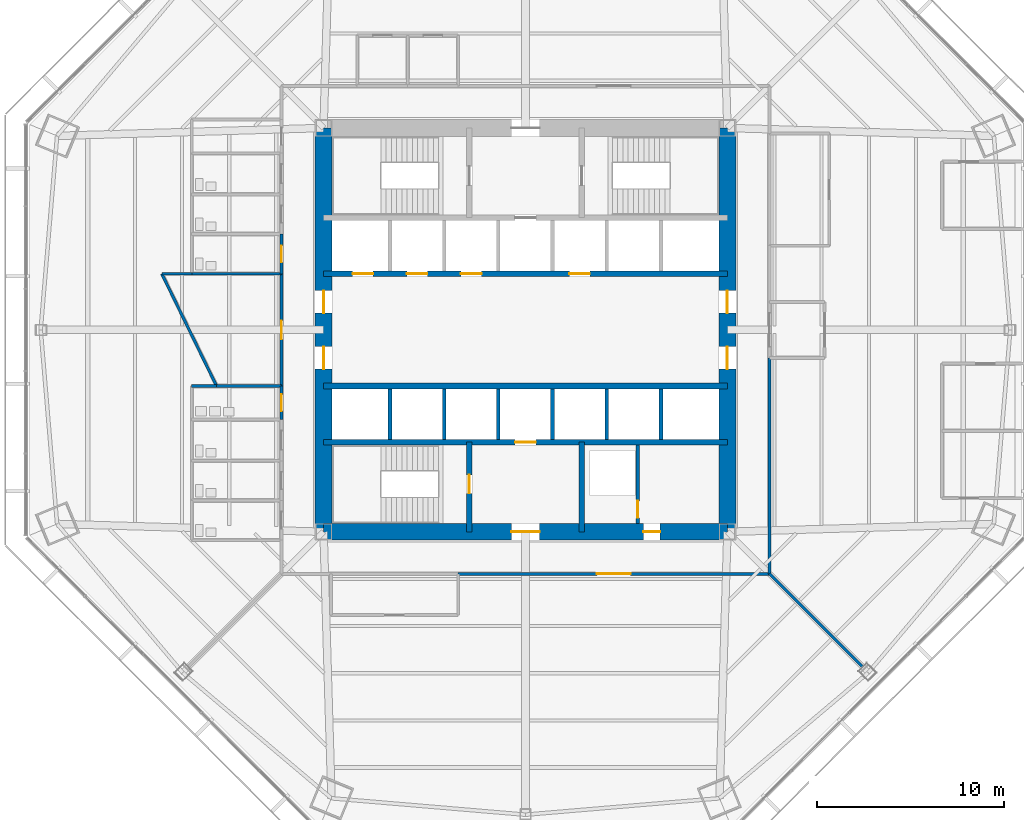
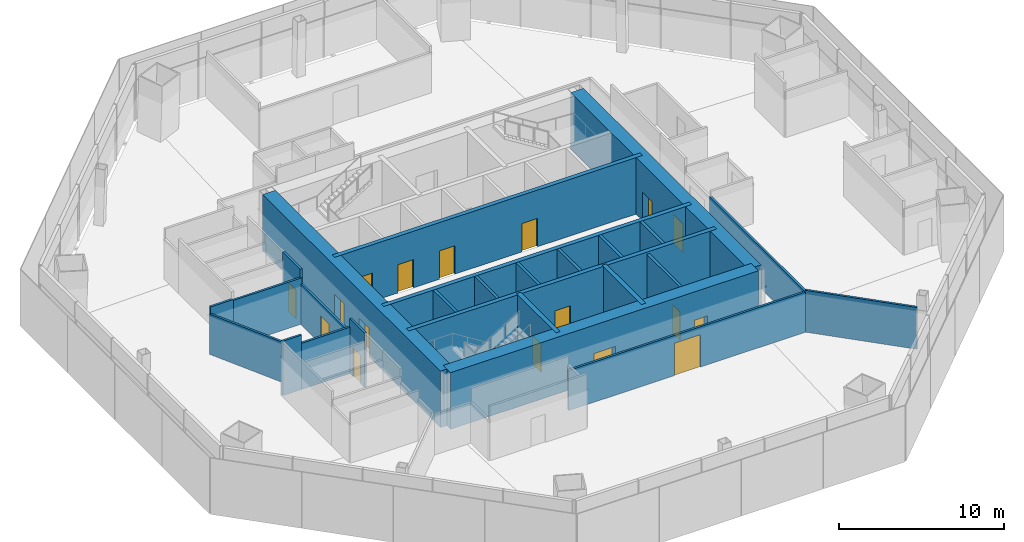
# One storey, part 8 of 13: 26 walls, 17 doors, 17 openings.
"""IFC4 building model written with IfcOpenShell, lengths in metres."""

from ifc_helpers import new_model, si_unit, direction, frame, frame_2d, origin, place, context, subcontext, project, spatial, rectangle, extrude, material, layer, layer_set, type_object, element, fill, save


model = new_model("IFC4")

# Units and contexts
model_context = context("Model", 3, precision=1e-05, world=origin(), true_north=direction((0.0, 1.0)))
body_context = subcontext(model_context, "Body", "Model", "MODEL_VIEW")
ifc_project = project(units=[si_unit("LENGTHUNIT", "METRE"), si_unit("AREAUNIT", "SQUARE_METRE"), si_unit("VOLUMEUNIT", "CUBIC_METRE"), si_unit("PLANEANGLEUNIT", "RADIAN"), si_unit("MASSUNIT", "GRAM", prefix="KILO")], contexts=[model_context])

# Site, building, storey
site_placement = place(None, origin())
site = spatial("IfcSite", under=ifc_project, at=site_placement, CompositionType="ELEMENT")
building_placement = place(site_placement, origin())
building = spatial("IfcBuilding", under=site, at=building_placement, Name="Mashrafa Tower", CompositionType="ELEMENT")
storey_placement = place(building_placement, frame((0.0, 0.0, 45.60009765625)))
storey = spatial("IfcBuildingStorey", under=building, at=storey_placement, Name="L09", CompositionType="ELEMENT", Elevation=45.60009765625)

# Wall, opening, door
ifc_material_1 = material(Name="Concrete masonry unit", Category="masonry")
ifc_layer_1 = layer(ifc_material_1, 0.199951171875)
ifc_layer_set_1 = layer_set([ifc_layer_1], Name="Blockwork wall 200 2 hr")
wall_type_1 = type_object("IfcWallType", Name="Blockwork wall 200 2 hr", PredefinedType="PARTITIONING", material=ifc_layer_set_1)
wall_1_placement = place(storey_placement, frame((6.0, -10.35009765625, 0.0), z_axis=(0.0, 0.0, 1.0), x_axis=(0.0, 1.0, 0.0)))
wall_1 = element("IfcWall", 1, at=wall_1_placement, inside=storey, type_object=wall_type_1, Name="Riser enclosure wall L09", PredefinedType="PARTITIONING", context=body_context, shape_type="SweptSolid", body=[
    extrude(rectangle(XDim=4.2001953125, YDim=0.199951171875, at=frame_2d((2.10009765625, 0.0))), origin(), (0.0, 0.0, 1.0), 4.034912109375),
])
opening_1_placement = place(wall_1_placement, frame((0.300048828125, 0.0, 0.0)))
opening_1 = element("IfcOpeningElement", 2, at=opening_1_placement, cuts=wall_1, Name="Opening 09.032", PredefinedType="OPENING", context=body_context, shape_type="SweptSolid", body=[
    extrude(rectangle(XDim=0.89990234375, YDim=2.10009765625, at=frame_2d((0.449951171875, 1.050048828125))), frame((0.0, 0.10986328125, 0.0), z_axis=(0.0, -1.0, 0.0), x_axis=(1.0, 0.0, 0.0)), (0.0, 0.0, 1.0), 0.219970703125),
])
ifc_material_2 = material(Name="Steel door", Category="steel")
door_type_1 = type_object("IfcDoorType", Name="Service door 900 x 2100 90 min", OperationType="USERDEFINED", PredefinedType="DOOR", material=ifc_material_2)
door_1_placement = place(opening_1_placement, origin())
door_1 = element("IfcDoor", 3, at=door_1_placement, inside=storey, type_object=door_type_1, Name="Riser door L09", OperationType="SINGLE_SWING_LEFT", OverallHeight=2.10009765625, OverallWidth=0.89990234375, PredefinedType="DOOR", context=body_context, shape_type="SweptSolid", body=[
    extrude(rectangle(XDim=0.89990234375, YDim=2.10009765625, at=frame_2d((0.449951171875, 1.050048828125))), frame((0.0, 0.02490234375, 0.0), z_axis=(0.0, -1.0, 0.0), x_axis=(1.0, 0.0, 0.0)), (0.0, 0.0, 1.0), 0.050048828125),
])
fill(opening_1, door_1)

# Wall, openings, doors
ifc_material_3 = material(Name="Concrete C60/75", Category="concrete")
ifc_layer_2 = layer(ifc_material_3, 0.300048828125)
ifc_layer_set_2 = layer_set([ifc_layer_2], Name="Core wall 300 C60/75")
wall_type_2 = type_object("IfcWallType", Name="Core wall 300 C60/75", PredefinedType="SOLIDWALL", material=ifc_layer_set_2)
wall_2_placement = place(storey_placement, frame((-10.800048828125, 3.0, 0.0), z_axis=(0.0, 0.0, 1.0), x_axis=(1.0, 0.0, 0.0)))
wall_2 = element("IfcWall", 4, at=wall_2_placement, inside=storey, type_object=wall_type_2, Name="Core wall CH-N L09", PredefinedType="SOLIDWALL", context=body_context, shape_type="SweptSolid", body=[
    extrude(rectangle(XDim=21.60009765625, YDim=0.300048828125, at=frame_2d((10.800048828125, 0.0))), origin(), (0.0, 0.0, 1.0), 4.199951171875),
])
opening_2_placement = place(wall_2_placement, frame((1.550048828125, 0.0, 0.0)))
opening_2 = element("IfcOpeningElement", 5, at=opening_2_placement, cuts=wall_2, Name="Opening 09.A1", PredefinedType="OPENING", context=body_context, shape_type="SweptSolid", body=[
    extrude(rectangle(XDim=1.10009765625, YDim=2.10009765625, at=frame_2d((0.550048828125, 1.050048828125))), frame((0.0, 0.159912109375, 0.0), z_axis=(0.0, -1.0, 0.0), x_axis=(1.0, 0.0, 0.0)), (0.0, 0.0, 1.0), 0.320068359375),
])
opening_3_placement = place(wall_2_placement, frame((4.449951171875, 0.0, 0.0)))
opening_3 = element("IfcOpeningElement", 6, at=opening_3_placement, cuts=wall_2, Name="Opening 09.A2", PredefinedType="OPENING", context=body_context, shape_type="SweptSolid", body=[
    extrude(rectangle(XDim=1.10009765625, YDim=2.10009765625, at=frame_2d((0.550048828125, 1.050048828125))), frame((0.0, 0.159912109375, 0.0), z_axis=(0.0, -1.0, 0.0), x_axis=(1.0, 0.0, 0.0)), (0.0, 0.0, 1.0), 0.320068359375),
])
opening_4_placement = place(wall_2_placement, frame((7.35009765625, 0.0, 0.0)))
opening_4 = element("IfcOpeningElement", 7, at=opening_4_placement, cuts=wall_2, Name="Opening 09.A3", PredefinedType="OPENING", context=body_context, shape_type="SweptSolid", body=[
    extrude(rectangle(XDim=1.10009765625, YDim=2.10009765625, at=frame_2d((0.550048828125, 1.050048828125))), frame((0.0, 0.159912109375, 0.0), z_axis=(0.0, -1.0, 0.0), x_axis=(1.0, 0.0, 0.0)), (0.0, 0.0, 1.0), 0.320068359375),
])
opening_5_placement = place(wall_2_placement, frame((13.14990234375, 0.0, 0.0)))
opening_5 = element("IfcOpeningElement", 8, at=opening_5_placement, cuts=wall_2, Name="Opening 09.A4", PredefinedType="OPENING", context=body_context, shape_type="SweptSolid", body=[
    extrude(rectangle(XDim=1.10009765625, YDim=2.10009765625, at=frame_2d((0.550048828125, 1.050048828125))), frame((0.0, 0.159912109375, 0.0), z_axis=(0.0, -1.0, 0.0), x_axis=(1.0, 0.0, 0.0)), (0.0, 0.0, 1.0), 0.320068359375),
])
ifc_material_4 = material(Name="Steel door", Category="steel")
door_type_2 = type_object("IfcDoorType", Name="Lift landing door 1100 x 2100 90 min", OperationType="DOUBLE_DOOR_SLIDING", PredefinedType="DOOR", material=ifc_material_4)
door_2_placement = place(opening_2_placement, origin())
door_2 = element("IfcDoor", 9, at=door_2_placement, inside=storey, type_object=door_type_2, Name="Lift landing door A1 L09", OperationType="DOUBLE_DOOR_SLIDING", OverallHeight=2.10009765625, OverallWidth=1.10009765625, PredefinedType="DOOR", context=body_context, shape_type="SweptSolid", body=[
    extrude(rectangle(XDim=1.10009765625, YDim=2.10009765625, at=frame_2d((0.550048828125, 1.050048828125))), frame((0.0, 0.02490234375, 0.0), z_axis=(0.0, -1.0, 0.0), x_axis=(1.0, 0.0, 0.0)), (0.0, 0.0, 1.0), 0.050048828125),
])
fill(opening_2, door_2)
door_3_placement = place(opening_3_placement, origin())
door_3 = element("IfcDoor", 10, at=door_3_placement, inside=storey, type_object=door_type_2, Name="Lift landing door A2 L09", OperationType="DOUBLE_DOOR_SLIDING", OverallHeight=2.10009765625, OverallWidth=1.10009765625, PredefinedType="DOOR", context=body_context, shape_type="SweptSolid", body=[
    extrude(rectangle(XDim=1.10009765625, YDim=2.10009765625, at=frame_2d((0.550048828125, 1.050048828125))), frame((0.0, 0.02490234375, 0.0), z_axis=(0.0, -1.0, 0.0), x_axis=(1.0, 0.0, 0.0)), (0.0, 0.0, 1.0), 0.050048828125),
])
fill(opening_3, door_3)
door_4_placement = place(opening_4_placement, origin())
door_4 = element("IfcDoor", 11, at=door_4_placement, inside=storey, type_object=door_type_2, Name="Lift landing door A3 L09", OperationType="DOUBLE_DOOR_SLIDING", OverallHeight=2.10009765625, OverallWidth=1.10009765625, PredefinedType="DOOR", context=body_context, shape_type="SweptSolid", body=[
    extrude(rectangle(XDim=1.10009765625, YDim=2.10009765625, at=frame_2d((0.550048828125, 1.050048828125))), frame((0.0, 0.02490234375, 0.0), z_axis=(0.0, -1.0, 0.0), x_axis=(1.0, 0.0, 0.0)), (0.0, 0.0, 1.0), 0.050048828125),
])
fill(opening_4, door_4)
door_5_placement = place(opening_5_placement, origin())
door_5 = element("IfcDoor", 12, at=door_5_placement, inside=storey, type_object=door_type_2, Name="Lift landing door A4 L09", OperationType="DOUBLE_DOOR_SLIDING", OverallHeight=2.10009765625, OverallWidth=1.10009765625, PredefinedType="DOOR", context=body_context, shape_type="SweptSolid", body=[
    extrude(rectangle(XDim=1.10009765625, YDim=2.10009765625, at=frame_2d((0.550048828125, 1.050048828125))), frame((0.0, 0.02490234375, 0.0), z_axis=(0.0, -1.0, 0.0), x_axis=(1.0, 0.0, 0.0)), (0.0, 0.0, 1.0), 0.050048828125),
])
fill(opening_5, door_5)

# Wall
wall_3_placement = place(storey_placement, frame((-10.800048828125, -3.0, 0.0), z_axis=(0.0, 0.0, 1.0), x_axis=(1.0, 0.0, 0.0)))
element("IfcWall", 13, at=wall_3_placement, inside=storey, type_object=wall_type_2, Name="Core wall CH-S L09", PredefinedType="SOLIDWALL", context=body_context, shape_type="SweptSolid", body=[
    extrude(rectangle(XDim=21.60009765625, YDim=0.300048828125, at=frame_2d((10.800048828125, 0.0))), origin(), (0.0, 0.0, 1.0), 4.199951171875),
])

# Wall, opening, door
wall_4_placement = place(storey_placement, frame((-10.800048828125, -6.0, 0.0), z_axis=(0.0, 0.0, 1.0), x_axis=(1.0, 0.0, 0.0)))
wall_4 = element("IfcWall", 14, at=wall_4_placement, inside=storey, type_object=wall_type_2, Name="Core wall CB-S L09", PredefinedType="SOLIDWALL", context=body_context, shape_type="SweptSolid", body=[
    extrude(rectangle(XDim=21.60009765625, YDim=0.300048828125, at=frame_2d((10.800048828125, 0.0))), origin(), (0.0, 0.0, 1.0), 4.199951171875),
])
opening_6_placement = place(wall_4_placement, frame((10.25, 0.0, 0.0)))
opening_6 = element("IfcOpeningElement", 15, at=opening_6_placement, cuts=wall_4, Name="Opening 09.F2", PredefinedType="OPENING", context=body_context, shape_type="SweptSolid", body=[
    extrude(rectangle(XDim=1.10009765625, YDim=2.10009765625, at=frame_2d((0.550048828125, 1.050048828125))), frame((0.0, 0.159912109375, 0.0), z_axis=(0.0, -1.0, 0.0), x_axis=(1.0, 0.0, 0.0)), (0.0, 0.0, 1.0), 0.320068359375),
])
door_6_placement = place(opening_6_placement, origin())
door_6 = element("IfcDoor", 16, at=door_6_placement, inside=storey, type_object=door_type_2, Name="Lift landing door F2 L09", OperationType="DOUBLE_DOOR_SLIDING", OverallHeight=2.10009765625, OverallWidth=1.10009765625, PredefinedType="DOOR", context=body_context, shape_type="SweptSolid", body=[
    extrude(rectangle(XDim=1.10009765625, YDim=2.10009765625, at=frame_2d((0.550048828125, 1.050048828125))), frame((0.0, 0.02490234375, 0.0), z_axis=(0.0, -1.0, 0.0), x_axis=(1.0, 0.0, 0.0)), (0.0, 0.0, 1.0), 0.050048828125),
])
fill(opening_6, door_6)

wall_5_placement = place(storey_placement, frame((-3.0, -6.0, 0.0), z_axis=(0.0, 0.0, 1.0), x_axis=(0.0, -1.0, 0.0)))
wall_5 = element("IfcWall", 17, at=wall_5_placement, inside=storey, type_object=wall_type_2, Name="Core wall CX-SW L09", PredefinedType="SOLIDWALL", context=body_context, shape_type="SweptSolid", body=[
    extrude(rectangle(XDim=4.800048828125, YDim=0.300048828125, at=frame_2d((2.39990234375, 0.0))), origin(), (0.0, 0.0, 1.0), 4.199951171875),
])
opening_7_placement = place(wall_5_placement, frame((1.75, 0.0, 0.0)))
opening_7 = element("IfcOpeningElement", 18, at=opening_7_placement, cuts=wall_5, Name="Opening 09.030", PredefinedType="OPENING", context=body_context, shape_type="SweptSolid", body=[
    extrude(rectangle(XDim=1.0, YDim=2.10009765625, at=frame_2d((0.5, 1.050048828125))), frame((0.0, 0.159912109375, 0.0), z_axis=(0.0, -1.0, 0.0), x_axis=(1.0, 0.0, 0.0)), (0.0, 0.0, 1.0), 0.320068359375),
])
ifc_material_5 = material(Name="Steel door", Category="steel")
door_type_3 = type_object("IfcDoorType", Name="Stair door 1000 x 2100 90 min", OperationType="USERDEFINED", PredefinedType="DOOR", material=ifc_material_5)
door_7_placement = place(opening_7_placement, frame((1.0, 0.0, 0.0), z_axis=(0.0, 0.0, 1.0), x_axis=(-1.0, 0.0, 0.0)))
door_7 = element("IfcDoor", 19, at=door_7_placement, inside=storey, type_object=door_type_3, Name="Stair S3 door L09", OperationType="SINGLE_SWING_RIGHT", OverallHeight=2.10009765625, OverallWidth=1.0, PredefinedType="DOOR", context=body_context, shape_type="SweptSolid", body=[
    extrude(rectangle(XDim=1.0, YDim=2.10009765625, at=frame_2d((0.5, 1.050048828125))), frame((0.0, 0.02490234375, 0.0), z_axis=(0.0, -1.0, 0.0), x_axis=(1.0, 0.0, 0.0)), (0.0, 0.0, 1.0), 0.050048828125),
])
fill(opening_7, door_7)

# Wall
wall_6_placement = place(storey_placement, frame((3.0, -6.0, 0.0), z_axis=(0.0, 0.0, 1.0), x_axis=(0.0, -1.0, 0.0)))
element("IfcWall", 20, at=wall_6_placement, inside=storey, type_object=wall_type_2, Name="Core wall CX-SE L09", PredefinedType="SOLIDWALL", context=body_context, shape_type="SweptSolid", body=[
    extrude(rectangle(XDim=4.800048828125, YDim=0.300048828125, at=frame_2d((2.39990234375, 0.0))), origin(), (0.0, 0.0, 1.0), 4.199951171875),
])

# Wall, openings, doors
ifc_material_6 = material(Name="Concrete C60/75", Category="concrete")
ifc_layer_3 = layer(ifc_material_6, 0.89990234375)
ifc_layer_set_3 = layer_set([ifc_layer_3], Name="Core wall 900 C60/75")
wall_type_3 = type_object("IfcWallType", Name="Core wall 900 C60/75", PredefinedType="SOLIDWALL", material=ifc_layer_set_3)
wall_7_placement = place(storey_placement, frame((-10.800048828125, -10.800048828125, 0.0), z_axis=(0.0, 0.0, 1.0), x_axis=(1.0, 0.0, 0.0)))
wall_7 = element("IfcWall", 21, at=wall_7_placement, inside=storey, type_object=wall_type_3, Name="Core wall CW-S L09", PredefinedType="SOLIDWALL", context=body_context, shape_type="SweptSolid", body=[
    extrude(rectangle(XDim=21.60009765625, YDim=0.89990234375, at=frame_2d((10.800048828125, 0.0))), origin(), (0.0, 0.0, 1.0), 4.199951171875),
])
opening_8_placement = place(wall_7_placement, frame((10.050048828125, 0.0, 0.0)))
opening_8 = element("IfcOpeningElement", 22, at=opening_8_placement, cuts=wall_7, Name="Opening 09.027", PredefinedType="OPENING", context=body_context, shape_type="SweptSolid", body=[
    extrude(rectangle(XDim=1.5, YDim=2.10009765625, at=frame_2d((0.75, 1.050048828125))), frame((0.0, 0.4599609375, 0.0), z_axis=(0.0, -1.0, 0.0), x_axis=(1.0, 0.0, 0.0)), (0.0, 0.0, 1.0), 0.919921875),
])
opening_9_placement = place(wall_7_placement, frame((17.10009765625, 0.0, 0.0)))
opening_9 = element("IfcOpeningElement", 23, at=opening_9_placement, cuts=wall_7, Name="Opening 09.031", PredefinedType="OPENING", context=body_context, shape_type="SweptSolid", body=[
    extrude(rectangle(XDim=0.89990234375, YDim=2.10009765625, at=frame_2d((0.449951171875, 1.050048828125))), frame((0.0, 0.4599609375, 0.0), z_axis=(0.0, -1.0, 0.0), x_axis=(1.0, 0.0, 0.0)), (0.0, 0.0, 1.0), 0.919921875),
])
ifc_material_7 = material(Name="Steel door", Category="steel")
door_type_4 = type_object("IfcDoorType", Name="Lobby door pair 1500 x 2100 90 min", OperationType="DOUBLE_DOOR_SINGLE_SWING", PredefinedType="DOOR", material=ifc_material_7)
door_8_placement = place(opening_8_placement, origin())
door_8 = element("IfcDoor", 24, at=door_8_placement, inside=storey, type_object=door_type_4, Name="Fire-fighting lobby F2 door L09", OperationType="DOUBLE_DOOR_SINGLE_SWING", OverallHeight=2.10009765625, OverallWidth=1.5, PredefinedType="DOOR", context=body_context, shape_type="SweptSolid", body=[
    extrude(rectangle(XDim=1.5, YDim=2.10009765625, at=frame_2d((0.75, 1.050048828125))), frame((0.0, 0.02490234375, 0.0), z_axis=(0.0, -1.0, 0.0), x_axis=(1.0, 0.0, 0.0)), (0.0, 0.0, 1.0), 0.050048828125),
])
fill(opening_8, door_8)
door_9_placement = place(opening_9_placement, origin())
door_9 = element("IfcDoor", 25, at=door_9_placement, inside=storey, type_object=door_type_1, Name="Tenant Store L09 door", OperationType="SINGLE_SWING_LEFT", OverallHeight=2.10009765625, OverallWidth=0.89990234375, PredefinedType="DOOR", context=body_context, shape_type="SweptSolid", body=[
    extrude(rectangle(XDim=0.89990234375, YDim=2.10009765625, at=frame_2d((0.449951171875, 1.050048828125))), frame((0.0, 0.02490234375, 0.0), z_axis=(0.0, -1.0, 0.0), x_axis=(1.0, 0.0, 0.0)), (0.0, 0.0, 1.0), 0.050048828125),
])
fill(opening_9, door_9)

wall_8_placement = place(storey_placement, frame((10.800048828125, -10.800048828125, 0.0), z_axis=(0.0, 0.0, 1.0), x_axis=(0.0, 1.0, 0.0)))
wall_8 = element("IfcWall", 26, at=wall_8_placement, inside=storey, type_object=wall_type_3, Name="Core wall CW-E L09", PredefinedType="SOLIDWALL", context=body_context, shape_type="SweptSolid", body=[
    extrude(rectangle(XDim=21.60009765625, YDim=0.89990234375, at=frame_2d((10.800048828125, 0.0))), origin(), (0.0, 0.0, 1.0), 4.199951171875),
])
opening_10_placement = place(wall_8_placement, frame((11.699951171875, 0.0, 0.0)))
opening_10 = element("IfcOpeningElement", 27, at=opening_10_placement, cuts=wall_8, Name="Opening 09.022", PredefinedType="OPENING", context=body_context, shape_type="SweptSolid", body=[
    extrude(rectangle(XDim=1.199951171875, YDim=2.10009765625, at=frame_2d((0.60009765625, 1.050048828125))), frame((0.0, 0.4599609375, 0.0), z_axis=(0.0, -1.0, 0.0), x_axis=(1.0, 0.0, 0.0)), (0.0, 0.0, 1.0), 0.919921875),
])
opening_11_placement = place(wall_8_placement, frame((8.699951171875, 0.0, 0.0)))
opening_11 = element("IfcOpeningElement", 28, at=opening_11_placement, cuts=wall_8, Name="Opening 09.024", PredefinedType="OPENING", context=body_context, shape_type="SweptSolid", body=[
    extrude(rectangle(XDim=1.199951171875, YDim=2.10009765625, at=frame_2d((0.60009765625, 1.050048828125))), frame((0.0, 0.4599609375, 0.0), z_axis=(0.0, -1.0, 0.0), x_axis=(1.0, 0.0, 0.0)), (0.0, 0.0, 1.0), 0.919921875),
])
ifc_material_8 = material(Name="Steel door", Category="steel")
door_type_5 = type_object("IfcDoorType", Name="Lift hall door 1200 x 2100 90 min", OperationType="USERDEFINED", PredefinedType="DOOR", material=ifc_material_8)
door_10_placement = place(opening_10_placement, frame((1.199951171875, 0.0, 0.0), z_axis=(0.0, 0.0, 1.0), x_axis=(-1.0, 0.0, 0.0)))
door_10 = element("IfcDoor", 29, at=door_10_placement, inside=storey, type_object=door_type_5, Name="Lift hall door east L09", OperationType="SINGLE_SWING_LEFT", OverallHeight=2.10009765625, OverallWidth=1.199951171875, PredefinedType="DOOR", context=body_context, shape_type="SweptSolid", body=[
    extrude(rectangle(XDim=1.199951171875, YDim=2.10009765625, at=frame_2d((0.60009765625, 1.050048828125))), frame((0.0, 0.02490234375, 0.0), z_axis=(0.0, -1.0, 0.0), x_axis=(1.0, 0.0, 0.0)), (0.0, 0.0, 1.0), 0.050048828125),
])
fill(opening_10, door_10)
door_11_placement = place(opening_11_placement, frame((1.199951171875, 0.0, 0.0), z_axis=(0.0, 0.0, 1.0), x_axis=(-1.0, 0.0, 0.0)))
door_11 = element("IfcDoor", 30, at=door_11_placement, inside=storey, type_object=door_type_5, Name="Lift hall door east L09", OperationType="SINGLE_SWING_RIGHT", OverallHeight=2.10009765625, OverallWidth=1.199951171875, PredefinedType="DOOR", context=body_context, shape_type="SweptSolid", body=[
    extrude(rectangle(XDim=1.199951171875, YDim=2.10009765625, at=frame_2d((0.60009765625, 1.050048828125))), frame((0.0, 0.02490234375, 0.0), z_axis=(0.0, -1.0, 0.0), x_axis=(1.0, 0.0, 0.0)), (0.0, 0.0, 1.0), 0.050048828125),
])
fill(opening_11, door_11)

wall_9_placement = place(storey_placement, frame((-10.800048828125, 10.800048828125, 0.0), z_axis=(0.0, 0.0, 1.0), x_axis=(0.0, -1.0, 0.0)))
wall_9 = element("IfcWall", 31, at=wall_9_placement, inside=storey, type_object=wall_type_3, Name="Core wall CW-W L09", PredefinedType="SOLIDWALL", context=body_context, shape_type="SweptSolid", body=[
    extrude(rectangle(XDim=21.60009765625, YDim=0.89990234375, at=frame_2d((10.800048828125, 0.0))), origin(), (0.0, 0.0, 1.0), 4.199951171875),
])
opening_12_placement = place(wall_9_placement, frame((8.699951171875, 0.0, 0.0)))
opening_12 = element("IfcOpeningElement", 32, at=opening_12_placement, cuts=wall_9, Name="Opening 09.023", PredefinedType="OPENING", context=body_context, shape_type="SweptSolid", body=[
    extrude(rectangle(XDim=1.199951171875, YDim=2.10009765625, at=frame_2d((0.60009765625, 1.050048828125))), frame((0.0, 0.4599609375, 0.0), z_axis=(0.0, -1.0, 0.0), x_axis=(1.0, 0.0, 0.0)), (0.0, 0.0, 1.0), 0.919921875),
])
opening_13_placement = place(wall_9_placement, frame((11.699951171875, 0.0, 0.0)))
opening_13 = element("IfcOpeningElement", 33, at=opening_13_placement, cuts=wall_9, Name="Opening 09.025", PredefinedType="OPENING", context=body_context, shape_type="SweptSolid", body=[
    extrude(rectangle(XDim=1.199951171875, YDim=2.10009765625, at=frame_2d((0.60009765625, 1.050048828125))), frame((0.0, 0.4599609375, 0.0), z_axis=(0.0, -1.0, 0.0), x_axis=(1.0, 0.0, 0.0)), (0.0, 0.0, 1.0), 0.919921875),
])
door_12_placement = place(opening_12_placement, frame((1.199951171875, 0.0, 0.0), z_axis=(0.0, 0.0, 1.0), x_axis=(-1.0, 0.0, 0.0)))
door_12 = element("IfcDoor", 34, at=door_12_placement, inside=storey, type_object=door_type_5, Name="Lift hall door west L09", OperationType="SINGLE_SWING_RIGHT", OverallHeight=2.10009765625, OverallWidth=1.199951171875, PredefinedType="DOOR", context=body_context, shape_type="SweptSolid", body=[
    extrude(rectangle(XDim=1.199951171875, YDim=2.10009765625, at=frame_2d((0.60009765625, 1.050048828125))), frame((0.0, 0.02490234375, 0.0), z_axis=(0.0, -1.0, 0.0), x_axis=(1.0, 0.0, 0.0)), (0.0, 0.0, 1.0), 0.050048828125),
])
fill(opening_12, door_12)
door_13_placement = place(opening_13_placement, frame((1.199951171875, 0.0, 0.0), z_axis=(0.0, 0.0, 1.0), x_axis=(-1.0, 0.0, 0.0)))
door_13 = element("IfcDoor", 35, at=door_13_placement, inside=storey, type_object=door_type_5, Name="Lift hall door west L09", OperationType="SINGLE_SWING_LEFT", OverallHeight=2.10009765625, OverallWidth=1.199951171875, PredefinedType="DOOR", context=body_context, shape_type="SweptSolid", body=[
    extrude(rectangle(XDim=1.199951171875, YDim=2.10009765625, at=frame_2d((0.60009765625, 1.050048828125))), frame((0.0, 0.02490234375, 0.0), z_axis=(0.0, -1.0, 0.0), x_axis=(1.0, 0.0, 0.0)), (0.0, 0.0, 1.0), 0.050048828125),
])
fill(opening_13, door_13)

# Wall, opening, door
ifc_material_9 = material(Name="Gypsum board on steel studs", Category="steel")
ifc_layer_4 = layer(ifc_material_9, 0.14990234375)
ifc_layer_set_4 = layer_set([ifc_layer_4], Name="Corridor partition 150 1 hr")
wall_type_4 = type_object("IfcWallType", Name="Corridor partition 150 1 hr", PredefinedType="PARTITIONING", material=ifc_layer_set_4)
wall_10_placement = place(storey_placement, frame((-13.050048828125, 5.1259765625, 0.0), z_axis=(0.0, 0.0, 1.0), x_axis=(0.0, -1.0, 0.0)))
wall_10 = element("IfcWall", 36, at=wall_10_placement, inside=storey, type_object=wall_type_4, Name="Corridor wall L09-001", PredefinedType="PARTITIONING", context=body_context, shape_type="SweptSolid", body=[
    extrude(rectangle(XDim=2.126953125, YDim=0.14990234375, at=frame_2d((1.0634765625, 0.0))), origin(), (0.0, 0.0, 1.0), 4.034912109375),
])
opening_14_placement = place(wall_10_placement, frame((0.613525390625, 0.0, 0.0)))
opening_14 = element("IfcOpeningElement", 37, at=opening_14_placement, cuts=wall_10, Name="Opening 09.001", PredefinedType="OPENING", context=body_context, shape_type="SweptSolid", body=[
    extrude(rectangle(XDim=0.89990234375, YDim=2.10009765625, at=frame_2d((0.449951171875, 1.050048828125))), frame((0.0, 0.0849609375, 0.0), z_axis=(0.0, -1.0, 0.0), x_axis=(1.0, 0.0, 0.0)), (0.0, 0.0, 1.0), 0.169921875),
])
ifc_material_10 = material(Name="Timber door", Category="wood")
door_type_6 = type_object("IfcDoorType", Name="Toilet door 900 x 2100", OperationType="USERDEFINED", PredefinedType="DOOR", material=ifc_material_10)
door_14_placement = place(opening_14_placement, frame((0.89990234375, 0.0, 0.0), z_axis=(0.0, 0.0, 1.0), x_axis=(-1.0, 0.0, 0.0)))
door_14 = element("IfcDoor", 38, at=door_14_placement, inside=storey, type_object=door_type_6, Name="WC Female L09 N door", OperationType="SINGLE_SWING_RIGHT", OverallHeight=2.10009765625, OverallWidth=0.89990234375, PredefinedType="DOOR", context=body_context, shape_type="SweptSolid", body=[
    extrude(rectangle(XDim=0.89990234375, YDim=2.10009765625, at=frame_2d((0.449951171875, 1.050048828125))), frame((0.0, 0.02490234375, 0.0), z_axis=(0.0, -1.0, 0.0), x_axis=(1.0, 0.0, 0.0)), (0.0, 0.0, 1.0), 0.050048828125),
])
fill(opening_14, door_14)

wall_11_placement = place(storey_placement, frame((-13.050048828125, -2.9990234375, 0.0), z_axis=(0.0, 0.0, 1.0), x_axis=(0.0, -1.0, 0.0)))
wall_11 = element("IfcWall", 39, at=wall_11_placement, inside=storey, type_object=wall_type_4, Name="Corridor wall L09-008", PredefinedType="PARTITIONING", context=body_context, shape_type="SweptSolid", body=[
    extrude(rectangle(XDim=1.802001953125, YDim=0.14990234375, at=frame_2d((0.90087890625, 0.0))), origin(), (0.0, 0.0, 1.0), 4.034912109375),
])
opening_15_placement = place(wall_11_placement, frame((0.450927734375, 0.0, 0.0)))
opening_15 = element("IfcOpeningElement", 40, at=opening_15_placement, cuts=wall_11, Name="Opening 09.008", PredefinedType="OPENING", context=body_context, shape_type="SweptSolid", body=[
    extrude(rectangle(XDim=0.89990234375, YDim=2.10009765625, at=frame_2d((0.449951171875, 1.050048828125))), frame((0.0, 0.0849609375, 0.0), z_axis=(0.0, -1.0, 0.0), x_axis=(1.0, 0.0, 0.0)), (0.0, 0.0, 1.0), 0.169921875),
])
door_15_placement = place(opening_15_placement, frame((0.89990234375, 0.0, 0.0), z_axis=(0.0, 0.0, 1.0), x_axis=(-1.0, 0.0, 0.0)))
door_15 = element("IfcDoor", 41, at=door_15_placement, inside=storey, type_object=door_type_6, Name="Ablution Room L09 S door", OperationType="SINGLE_SWING_RIGHT", OverallHeight=2.10009765625, OverallWidth=0.89990234375, PredefinedType="DOOR", context=body_context, shape_type="SweptSolid", body=[
    extrude(rectangle(XDim=0.89990234375, YDim=2.10009765625, at=frame_2d((0.449951171875, 1.050048828125))), frame((0.0, 0.02490234375, 0.0), z_axis=(0.0, -1.0, 0.0), x_axis=(1.0, 0.0, 0.0)), (0.0, 0.0, 1.0), 0.050048828125),
])
fill(opening_15, door_15)

wall_12_placement = place(storey_placement, frame((-13.050048828125, 3.0009765625, 0.0), z_axis=(0.0, 0.0, 1.0), x_axis=(0.0, -1.0, 0.0)))
wall_12 = element("IfcWall", 42, at=wall_12_placement, inside=storey, type_object=wall_type_4, Name="Corridor wall L09-009", PredefinedType="PARTITIONING", context=body_context, shape_type="SweptSolid", body=[
    extrude(rectangle(XDim=6.001953125, YDim=0.14990234375, at=frame_2d((3.0009765625, 0.0))), origin(), (0.0, 0.0, 1.0), 2.9833984375),
])
opening_16_placement = place(wall_12_placement, frame((2.5009765625, 0.0, 0.0)))
opening_16 = element("IfcOpeningElement", 43, at=opening_16_placement, cuts=wall_12, Name="Opening 09.009", PredefinedType="OPENING", context=body_context, shape_type="SweptSolid", body=[
    extrude(rectangle(XDim=1.0, YDim=2.10009765625, at=frame_2d((0.5, 1.050048828125))), frame((0.0, 0.0849609375, 0.0), z_axis=(0.0, -1.0, 0.0), x_axis=(1.0, 0.0, 0.0)), (0.0, 0.0, 1.0), 0.169921875),
])
ifc_material_11 = material(Name="Timber door", Category="wood")
door_type_7 = type_object("IfcDoorType", Name="Door 1000 x 2100", OperationType="USERDEFINED", PredefinedType="DOOR", material=ifc_material_11)
door_16_placement = place(opening_16_placement, frame((1.0, 0.0, 0.0), z_axis=(0.0, 0.0, 1.0), x_axis=(-1.0, 0.0, 0.0)))
door_16 = element("IfcDoor", 44, at=door_16_placement, inside=storey, type_object=door_type_7, Name="Musallah Prayer Room 09 door", OperationType="SINGLE_SWING_LEFT", OverallHeight=2.10009765625, OverallWidth=1.0, PredefinedType="DOOR", context=body_context, shape_type="SweptSolid", body=[
    extrude(rectangle(XDim=1.0, YDim=2.10009765625, at=frame_2d((0.5, 1.050048828125))), frame((0.0, 0.02490234375, 0.0), z_axis=(0.0, -1.0, 0.0), x_axis=(1.0, 0.0, 0.0)), (0.0, 0.0, 1.0), 0.050048828125),
])
fill(opening_16, door_16)

# Wall
wall_13_placement = place(storey_placement, frame((13.050048828125, -13.050048828125, 0.0), z_axis=(0.0, 0.0, 1.0), x_axis=(0.0, 1.0, 0.0)))
element("IfcWall", 45, at=wall_13_placement, inside=storey, type_object=wall_type_4, Name="Corridor wall L09-020", PredefinedType="PARTITIONING", context=body_context, shape_type="SweptSolid", body=[
    extrude(rectangle(XDim=11.551025390625, YDim=0.14990234375, at=frame_2d((5.775390625, 0.0))), origin(), (0.0, 0.0, 1.0), 3.013916015625),
])

# Wall, opening, door
wall_14_placement = place(storey_placement, frame((-3.60107421875, -13.050048828125, 0.0), z_axis=(0.0, 0.0, 1.0), x_axis=(1.0, 0.0, 0.0)))
wall_14 = element("IfcWall", 46, at=wall_14_placement, inside=storey, type_object=wall_type_4, Name="Corridor wall L09-023", PredefinedType="PARTITIONING", context=body_context, shape_type="SweptSolid", body=[
    extrude(rectangle(XDim=16.651123046875, YDim=0.14990234375, at=frame_2d((8.32568359375, 0.0))), origin(), (0.0, 0.0, 1.0), 2.9833984375),
])
opening_17_placement = place(wall_14_placement, frame((7.425537109375, 0.0, 0.0)))
opening_17 = element("IfcOpeningElement", 47, at=opening_17_placement, cuts=wall_14, Name="Opening 09.021", PredefinedType="OPENING", context=body_context, shape_type="SweptSolid", body=[
    extrude(rectangle(XDim=1.800048828125, YDim=2.39990234375, at=frame_2d((0.89990234375, 1.199951171875))), frame((0.0, 0.0849609375, 0.0), z_axis=(0.0, -1.0, 0.0), x_axis=(1.0, 0.0, 0.0)), (0.0, 0.0, 1.0), 0.169921875),
])
ifc_material_12 = material(Name="Timber door", Category="wood")
door_type_8 = type_object("IfcDoorType", Name="Door pair 1800 x 2400", OperationType="DOUBLE_DOOR_SINGLE_SWING", PredefinedType="DOOR", material=ifc_material_12)
door_17_placement = place(opening_17_placement, frame((1.800048828125, 0.0, 0.0), z_axis=(0.0, 0.0, 1.0), x_axis=(-1.0, 0.0, 0.0)))
door_17 = element("IfcDoor", 48, at=door_17_placement, inside=storey, type_object=door_type_8, Name="Research and Sales Office 09 door", OperationType="DOUBLE_DOOR_SINGLE_SWING", OverallHeight=2.39990234375, OverallWidth=1.800048828125, PredefinedType="DOOR", context=body_context, shape_type="SweptSolid", body=[
    extrude(rectangle(XDim=1.800048828125, YDim=2.39990234375, at=frame_2d((0.89990234375, 1.199951171875))), frame((0.0, 0.02490234375, 0.0), z_axis=(0.0, -1.0, 0.0), x_axis=(1.0, 0.0, 0.0)), (0.0, 0.0, 1.0), 0.050048828125),
])
fill(opening_17, door_17)

# Walls
ifc_material_13 = material(Name="Gypsum board on steel studs", Category="steel")
ifc_layer_5 = layer(ifc_material_13, 0.14990234375)
ifc_layer_set_5 = layer_set([ifc_layer_5], Name="Partition 150")
wall_type_5 = type_object("IfcWallType", Name="Partition 150", PredefinedType="PARTITIONING", material=ifc_layer_set_5)
wall_15_placement = place(storey_placement, frame((-17.85009765625, 3.0, 0.0), z_axis=(0.0, 0.0, 1.0), x_axis=(1.0, 0.0, 0.0)))
element("IfcWall", 49, at=wall_15_placement, inside=storey, type_object=wall_type_5, Name="Partition wall L09-025", PredefinedType="PARTITIONING", context=body_context, shape_type="SweptSolid", body=[
    extrude(rectangle(XDim=4.800048828125, YDim=0.14990234375, at=frame_2d((2.39990234375, 0.0))), origin(), (0.0, 0.0, 1.0), 3.425537109375),
])
wall_16_placement = place(storey_placement, frame((-13.050048828125, -3.0, 0.0), z_axis=(0.0, 0.0, 1.0), x_axis=(-1.0, 0.0, 0.0)))
element("IfcWall", 50, at=wall_16_placement, inside=storey, type_object=wall_type_5, Name="Partition wall L09-040", PredefinedType="PARTITIONING", context=body_context, shape_type="SweptSolid", body=[
    extrude(rectangle(XDim=3.474609375, YDim=0.14990234375, at=frame_2d((1.7373046875, 0.0))), origin(), (0.0, 0.0, 1.0), 3.425537109375),
])
wall_17_placement = place(storey_placement, frame((-16.5224609375, -3.0, 0.0), z_axis=(0.0, 0.0, 1.0), x_axis=(-1.0, 0.0, 0.0)))
element("IfcWall", 51, at=wall_17_placement, inside=storey, type_object=wall_type_5, Name="Partition wall L09-041", PredefinedType="PARTITIONING", context=body_context, shape_type="SweptSolid", body=[
    extrude(rectangle(XDim=1.32763671875, YDim=0.14990234375, at=frame_2d((0.663818359375, 0.0))), origin(), (0.0, 0.0, 1.0), 4.034912109375),
])
wall_18_placement = place(storey_placement, frame((-17.84912109375, 3.0, 0.0), z_axis=(0.0, 0.0, 1.0), x_axis=(-1.0, 0.0, 0.0)))
element("IfcWall", 52, at=wall_18_placement, inside=storey, type_object=wall_type_5, Name="Partition wall L09-043", PredefinedType="PARTITIONING", context=body_context, shape_type="SweptSolid", body=[
    extrude(rectangle(XDim=1.600830078125, YDim=0.14990234375, at=frame_2d((0.80029296875, 0.0))), origin(), (0.0, 0.0, 1.0), 3.4990234375),
])
wall_19_placement = place(storey_placement, frame((-19.449951171875, 3.0, 0.0), z_axis=(0.0, 0.0, 1.0), x_axis=(0.43835589904, -0.898801482963, 0.0)))
element("IfcWall", 53, at=wall_19_placement, inside=storey, type_object=wall_type_5, Name="Partition wall L09-044", PredefinedType="PARTITIONING", context=body_context, shape_type="SweptSolid", body=[
    extrude(rectangle(XDim=6.675537109375, YDim=0.14990234375, at=frame_2d((3.337890625, 0.0))), origin(), (0.0, 0.0, 1.0), 2.9833984375),
])
wall_20_placement = place(storey_placement, frame((13.050048828125, -13.050048828125, 0.0), z_axis=(0.0, 0.0, 1.0), x_axis=(0.707106781187, -0.707106781187, 0.0)))
element("IfcWall", 54, at=wall_20_placement, inside=storey, type_object=wall_type_5, Name="Partition wall L09-071", PredefinedType="PARTITIONING", context=body_context, shape_type="SweptSolid", body=[
    extrude(rectangle(XDim=7.03125, YDim=0.14990234375, at=frame_2d((3.515625, 0.0))), origin(), (0.0, 0.0, 1.0), 3.097900390625),
])
ifc_material_14 = material(Name="Gypsum shaft wall on steel studs", Category="steel")
ifc_layer_6 = layer(ifc_material_14, 0.199951171875)
ifc_layer_set_6 = layer_set([ifc_layer_6], Name="Shaft divider wall 200 2 hr")
wall_type_6 = type_object("IfcWallType", Name="Shaft divider wall 200 2 hr", PredefinedType="PARTITIONING", material=ifc_layer_set_6)
for number, where, z_axis, x_axis, name in (
    (55, (-7.25, -5.85009765625, 0.0), (0.0, 0.0, 1.0), (0.0, 1.0, 0.0), "Shaft divider wall S1 L09"),
    (56, (-4.35009765625, -5.85009765625, 0.0), (0.0, 0.0, 1.0), (0.0, 1.0, 0.0), "Shaft divider wall S2 L09"),
    (57, (-1.449951171875, -5.85009765625, 0.0), (0.0, 0.0, 1.0), (0.0, 1.0, 0.0), "Shaft divider wall S3 L09"),
    (58, (1.449951171875, -5.85009765625, 0.0), (0.0, 0.0, 1.0), (0.0, 1.0, 0.0), "Shaft divider wall S4 L09"),
    (59, (4.35009765625, -5.85009765625, 0.0), (0.0, 0.0, 1.0), (0.0, 1.0, 0.0), "Shaft divider wall S5 L09"),
    (60, (7.25, -5.85009765625, 0.0), (0.0, 0.0, 1.0), (0.0, 1.0, 0.0), "Shaft divider wall S6 L09"),
):
    element("IfcWall", number, at=place(storey_placement, frame(where, z_axis=z_axis, x_axis=x_axis)), inside=storey, type_object=wall_type_6, Name=name, PredefinedType="PARTITIONING", context=body_context, shape_type="SweptSolid", body=[
        extrude(rectangle(XDim=2.7001953125, YDim=0.199951171875, at=frame_2d((1.35009765625, 0.0))), origin(), (0.0, 0.0, 1.0), 4.199951171875),
    ])

save(model, "model.ifc")
